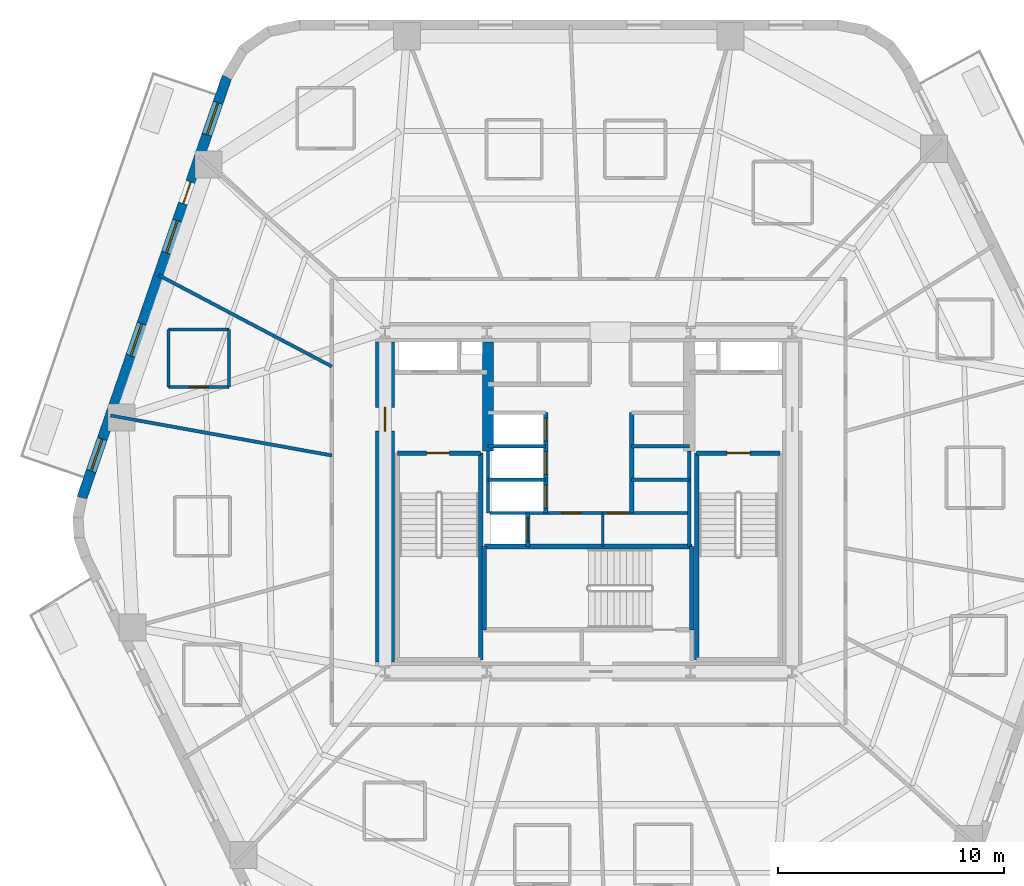
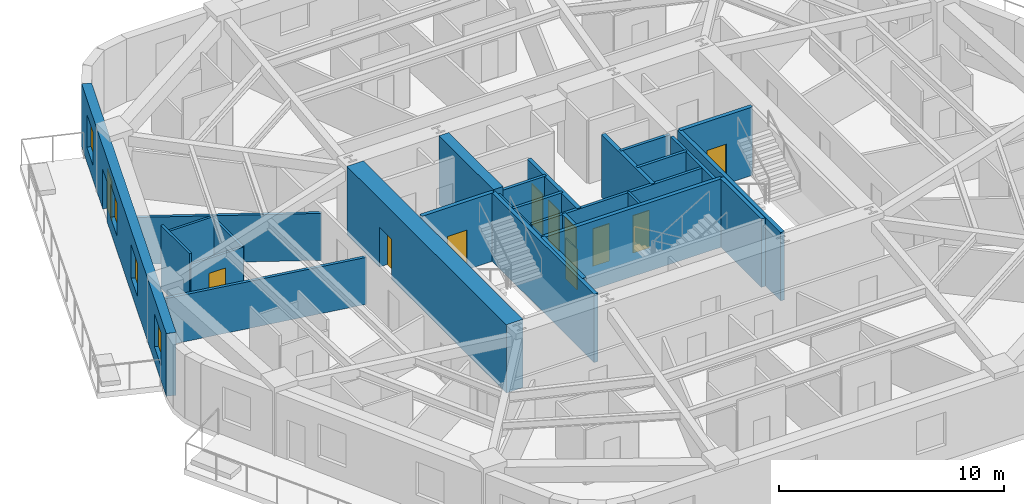
# One storey, part 4 of 10: 27 walls, 11 doors, 4 windows, 15 openings.
"""IFC4 building model written with IfcOpenShell, lengths in metres."""

import ifcopenshell
import ifcopenshell.guid

model = None  # the IFC model being written
_history = None  # IfcOwnerHistory: only IFC2X3 demands one
_inside = {}  # id of a spatial element -> (the spatial element, [elements in it])
_under = {}  # id of a project, library or spatial element -> (it, [spatial elements below it])
_declared = {}  # id of a project -> (the project, [libraries it declares])
_typed = {}  # id of a type object -> (the type object, [elements of that type])
_made_of = {}  # id of a material, layer set ... -> (it, [elements and type objects made of it])


def new_model(schema):
    """Start an empty IFC model of exactly this schema.

    Asked for "IFC4X3", IfcOpenShell would pick the latest addendum, in which some entities
    have other attributes; the version numbers below select the first issue.
    IFC2X3 requires an IfcOwnerHistory on every rooted entity: one is made here for all.
    """
    global model, _history
    if schema == "IFC4X3":
        model = ifcopenshell.file(schema_version=(4, 3, 0, 0))
    else:
        model = ifcopenshell.file(schema=schema)
    _inside.clear()
    _under.clear()
    _declared.clear()
    _typed.clear()
    _made_of.clear()
    _history = None
    if model.schema == "IFC2X3":
        org = make("IfcOrganization", Name="unknown")
        user = make(
            "IfcPersonAndOrganization",
            ThePerson=make("IfcPerson", FamilyName="unknown"),
            TheOrganization=org,
        )
        app = make(
            "IfcApplication",
            ApplicationDeveloper=org,
            Version="unknown",
            ApplicationFullName="unknown",
            ApplicationIdentifier="unknown",
        )
        _history = make(
            "IfcOwnerHistory",
            OwningUser=user,
            OwningApplication=app,
            ChangeAction="ADDED",
            CreationDate=0,
        )
    return model


def make(cls, **values):
    """One entity of the class cls with the attributes given. An attribute that is None is left unset."""
    return model.create_entity(
        cls, **{name: value for name, value in values.items() if value is not None}
    )


def rooted(cls, **values):
    """An entity with a GlobalId (a new one), such as an element, a storey or a relation."""
    return make(cls, GlobalId=ifcopenshell.guid.new(), OwnerHistory=_history, **values)


def si_unit(unit_type, name, prefix=None):
    """IfcSIUnit, for example si_unit("LENGTHUNIT", "METRE", prefix="MILLI")."""
    return make("IfcSIUnit", UnitType=unit_type, Prefix=prefix, Name=name)


def assignment(units):
    """IfcUnitAssignment: the units of a project."""
    return None if units is None else make("IfcUnitAssignment", Units=units)


def point(xyz):
    """IfcCartesianPoint."""
    return None if xyz is None else make("IfcCartesianPoint", Coordinates=xyz)


def direction(xyz):
    """IfcDirection."""
    return None if xyz is None else make("IfcDirection", DirectionRatios=xyz)


def frame(location, z_axis=None, x_axis=None):
    """IfcAxis2Placement3D, a coordinate frame: its origin and axes. An axis left out is left unset."""
    return make(
        "IfcAxis2Placement3D",
        Location=point(location),
        Axis=direction(z_axis),
        RefDirection=direction(x_axis),
    )


def frame_2d(location, x_axis=None):
    """IfcAxis2Placement2D, a coordinate frame in the plane: its origin and x axis."""
    return make(
        "IfcAxis2Placement2D", Location=point(location), RefDirection=direction(x_axis)
    )


def origin():
    """The frame at (0, 0, 0) with its axes left unset."""
    return frame((0.0, 0.0, 0.0))


def place(relative_to, where):
    """IfcLocalPlacement: puts the frame where relative to a parent placement (None: the world)."""
    return make(
        "IfcLocalPlacement", PlacementRelTo=relative_to, RelativePlacement=where
    )


def context(
    kind, dimensions, precision=None, world=None, true_north=None, identifier=None
):
    """IfcGeometricRepresentationContext, for example the 3D "Model" context."""
    return make(
        "IfcGeometricRepresentationContext",
        ContextIdentifier=identifier,
        ContextType=kind,
        CoordinateSpaceDimension=dimensions,
        Precision=precision,
        WorldCoordinateSystem=world,
        TrueNorth=true_north,
    )


def subcontext(parent, identifier, kind, view, scale=None):
    """IfcGeometricRepresentationSubContext, for example "Body" below "Model"."""
    return make(
        "IfcGeometricRepresentationSubContext",
        ContextIdentifier=identifier,
        ContextType=kind,
        ParentContext=parent,
        TargetScale=scale,
        TargetView=view,
    )


def project(units=None, contexts=None):
    """IfcProject with its units and contexts."""
    return rooted(
        "IfcProject",
        Name="project",
        RepresentationContexts=contexts,
        UnitsInContext=assignment(units),
    )


def spatial(cls, under=None, at=None, **own):
    """A site, building, storey or space (cls), placed at a placement, below another one or the project."""
    s = rooted(cls, ObjectPlacement=at, **own)
    if under is not None:
        _under.setdefault(under.id(), (under, []))[1].append(s)
    return s


def profile(cls, at=None, kind="AREA", **sizes):
    """A parametric profile (cls). Its sizes go by their IFC names, for example OverallWidth=200.0."""
    return make(cls, ProfileType=kind, Position=at, **sizes)


def rectangle(**sizes):
    """IfcRectangleProfileDef."""
    return profile("IfcRectangleProfileDef", **sizes)


def extrude(swept, where, along, depth):
    """IfcExtrudedAreaSolid: the profile swept, set in the frame where, extruded along a direction by depth."""
    return make(
        "IfcExtrudedAreaSolid",
        SweptArea=swept,
        Position=where,
        ExtrudedDirection=direction(along),
        Depth=depth,
    )


def shape(context_of_items, identifier, shape_type, items):
    """IfcShapeRepresentation: the items that make up one representation, for example the "Body"."""
    return make(
        "IfcShapeRepresentation",
        ContextOfItems=context_of_items,
        RepresentationIdentifier=identifier,
        RepresentationType=shape_type,
        Items=items,
    )


def material(Name=None, Category=None):
    """IfcMaterial."""
    return make("IfcMaterial", Name=Name, Category=Category)


def layer(
    of_material, thickness, ventilated=None, Name=None, Category=None, Priority=None
):
    """IfcMaterialLayer: one layer of a wall or slab, of a material (None: an air gap)."""
    return make(
        "IfcMaterialLayer",
        Material=of_material,
        LayerThickness=thickness,
        IsVentilated=ventilated,
        Name=Name,
        Category=Category,
        Priority=Priority,
    )


def layer_set(layers, Name=None):
    """IfcMaterialLayerSet."""
    return make("IfcMaterialLayerSet", MaterialLayers=layers, LayerSetName=Name)


def made_of(thing, what):
    """Note that an element or type object is made of a material, layer set ...; save() writes the relation."""
    if what is not None:
        _made_of.setdefault(what.id(), (what, []))[1].append(thing)
    return thing


def type_object(cls, material=None, **own):
    """A type object (cls), such as IfcWallType, which elements share."""
    return made_of(rooted(cls, **own), material)


def element(
    cls,
    number,
    at=None,
    inside=None,
    cuts=None,
    type_object=None,
    material=None,
    context=None,
    identifier="Body",
    shape_type=None,
    held_by="IfcProductDefinitionShape",
    body=None,
    shapes=None,
    **own,
):
    """One element of the class cls, such as IfcWall. Its Tag is "e" and its number.

    at: its placement. inside: the storey or other place that contains it. cuts: it is an
    opening in that element (IfcRelVoidsElement). A single representation is given by context,
    identifier, shape_type and body (its items); several are given by shapes. held_by: the class
    of the entity that holds the representations. save() writes the other relations.
    """
    e = rooted(cls, Tag="e%d" % number, ObjectPlacement=at, **own)
    if body is not None:
        shapes = [shape(context, identifier, shape_type, body)]
    if shapes is not None:
        e.Representation = make(held_by, Representations=shapes)
    if inside is not None:
        _inside.setdefault(inside.id(), (inside, []))[1].append(e)
    if cuts is not None:
        rooted(
            "IfcRelVoidsElement", RelatingBuildingElement=cuts, RelatedOpeningElement=e
        )
    if type_object is not None:
        _typed.setdefault(type_object.id(), (type_object, []))[1].append(e)
    return made_of(e, material)


def fill(opening, filler):
    """IfcRelFillsElement: the door or window that sits in an opening."""
    return rooted(
        "IfcRelFillsElement",
        RelatingOpeningElement=opening,
        RelatedBuildingElement=filler,
    )


def aggregate(whole, parts):
    """IfcRelAggregates: a whole, such as a stair, and the parts it consists of."""
    return rooted("IfcRelAggregates", RelatingObject=whole, RelatedObjects=parts)


def save(model, path):
    """Write the relations noted so far, then the file.

    IfcRelAggregates (storeys below a building ...), IfcRelContainedInSpatialStructure (elements
    in a storey), IfcRelDefinesByType, IfcRelAssociatesMaterial and IfcRelDeclares: one each for
    every whole, place, type object, material and project.
    """
    for whole, parts in _under.values():
        aggregate(whole, parts)
    for where, things in _inside.values():
        rooted(
            "IfcRelContainedInSpatialStructure",
            RelatedElements=things,
            RelatingStructure=where,
        )
    for kind, things in _typed.values():
        rooted("IfcRelDefinesByType", RelatedObjects=things, RelatingType=kind)
    for what, things in _made_of.values():
        rooted("IfcRelAssociatesMaterial", RelatedObjects=things, RelatingMaterial=what)
    for by, libraries in _declared.values():
        rooted("IfcRelDeclares", RelatingContext=by, RelatedDefinitions=libraries)
    model.write(path)


model = new_model("IFC4")

# Units and contexts
model_context = context("Model", 3, precision=1e-05, world=origin(), true_north=direction((0.0, 1.0)))
body_context = subcontext(model_context, "Body", "Model", "MODEL_VIEW")
ifc_project = project(units=[si_unit("LENGTHUNIT", "METRE"), si_unit("AREAUNIT", "SQUARE_METRE"), si_unit("VOLUMEUNIT", "CUBIC_METRE"), si_unit("PLANEANGLEUNIT", "RADIAN"), si_unit("MASSUNIT", "GRAM", prefix="KILO")], contexts=[model_context])

# Site, building, storey
site_placement = place(None, origin())
site = spatial("IfcSite", under=ifc_project, at=site_placement, CompositionType="ELEMENT")
building_placement = place(site_placement, origin())
building = spatial("IfcBuilding", under=site, at=building_placement, Name="Kilnhurst Terrace Hotel", CompositionType="ELEMENT")
storey_placement = place(building_placement, frame((0.0, 0.0, 121.0)))
storey = spatial("IfcBuildingStorey", under=building, at=storey_placement, Name="L29", CompositionType="ELEMENT", Elevation=121.0)

# Wall, openings, door, windows
ifc_material_1 = material(Name="Precast concrete C40/50", Category="concrete")
ifc_layer_1 = layer(ifc_material_1, 0.449951171875, Name="Precast concrete C40/50")
ifc_layer_set_1 = layer_set([ifc_layer_1], Name="Precast concrete C40/50")
wall_type_1 = type_object("IfcWallType", Name="WL-BRK-450", PredefinedType="SOLIDWALL", material=ifc_layer_set_1)
wall_1_placement = place(storey_placement, frame((-15.992431640625, 18.77685546875, 0.0), z_axis=(0.0, 0.0, 1.0), x_axis=(-0.325606988926, -0.945505202927, 0.0)))
wall_1 = element("IfcWall", 1, at=wall_1_placement, inside=storey, type_object=wall_type_1, Name="L29 Exterior Brick Facade Wall F5", PredefinedType="SOLIDWALL", context=body_context, shape_type="SweptSolid", body=[
    extrude(rectangle(XDim=19.66943359375, YDim=0.449951171875, at=frame_2d((9.834716796875, 0.0))), origin(), (0.0, 0.0, 1.0), 3.39990234375),
])
opening_1_placement = place(wall_1_placement, frame((4.908935546875, 0.0, 0.0)))
opening_1 = element("IfcOpeningElement", 2, at=opening_1_placement, cuts=wall_1, Name="Opening BD-1000", PredefinedType="OPENING", context=body_context, shape_type="SweptSolid", body=[
    extrude(rectangle(XDim=1.0, YDim=2.14990234375, at=frame_2d((0.5, 1.074951171875))), frame((0.0, 0.23486328125, 0.0), z_axis=(0.0, -1.0, 0.0), x_axis=(1.0, 0.0, 0.0)), (0.0, 0.0, 1.0), 0.469970703125),
])
opening_2_placement = place(wall_1_placement, frame((1.197021484375, 0.0, 0.800048828125)))
opening_2 = element("IfcOpeningElement", 3, at=opening_2_placement, cuts=wall_1, Name="Opening W-02", PredefinedType="OPENING", context=body_context, shape_type="SweptSolid", body=[
    extrude(rectangle(XDim=1.5, YDim=1.800048828125, at=frame_2d((0.75, 0.89990234375))), frame((0.0, 0.23486328125, 0.0), z_axis=(0.0, -1.0, 0.0), x_axis=(1.0, 0.0, 0.0)), (0.0, 0.0, 1.0), 0.469970703125),
])
opening_3_placement = place(wall_1_placement, frame((6.714111328125, 0.0, 0.800048828125)))
opening_3 = element("IfcOpeningElement", 4, at=opening_3_placement, cuts=wall_1, Name="Opening W-02", PredefinedType="OPENING", context=body_context, shape_type="SweptSolid", body=[
    extrude(rectangle(XDim=1.5, YDim=1.800048828125, at=frame_2d((0.75, 0.89990234375))), frame((0.0, 0.23486328125, 0.0), z_axis=(0.0, -1.0, 0.0), x_axis=(1.0, 0.0, 0.0)), (0.0, 0.0, 1.0), 0.469970703125),
])
opening_4_placement = place(wall_1_placement, frame((11.530029296875, 0.0, 0.800048828125)))
opening_4 = element("IfcOpeningElement", 5, at=opening_4_placement, cuts=wall_1, Name="Opening W-02", PredefinedType="OPENING", context=body_context, shape_type="SweptSolid", body=[
    extrude(rectangle(XDim=1.5, YDim=1.800048828125, at=frame_2d((0.75, 0.89990234375))), frame((0.0, 0.23486328125, 0.0), z_axis=(0.0, -1.0, 0.0), x_axis=(1.0, 0.0, 0.0)), (0.0, 0.0, 1.0), 0.469970703125),
])
opening_5_placement = place(wall_1_placement, frame((16.91796875, 0.0, 0.800048828125)))
opening_5 = element("IfcOpeningElement", 6, at=opening_5_placement, cuts=wall_1, Name="Opening W-02", PredefinedType="OPENING", context=body_context, shape_type="SweptSolid", body=[
    extrude(rectangle(XDim=1.5, YDim=1.800048828125, at=frame_2d((0.75, 0.89990234375))), frame((0.0, 0.23486328125, 0.0), z_axis=(0.0, -1.0, 0.0), x_axis=(1.0, 0.0, 0.0)), (0.0, 0.0, 1.0), 0.469970703125),
])
ifc_material_2 = material(Name="Thermally Broken Bronze Aluminium Alloy 6063-T6 and Laminated Glass", Category="aluminium")
door_type_1 = type_object("IfcDoorType", Name="DR-EXT-BAL-1000", OperationType="NOTDEFINED", PredefinedType="DOOR", material=ifc_material_2)
door_1_placement = place(opening_1_placement, origin())
door_1 = element("IfcDoor", 7, at=door_1_placement, inside=storey, type_object=door_type_1, Name="L29 Planted Balcony Door BAL-L2A", OperationType="SINGLE_SWING_LEFT", OverallHeight=2.14990234375, OverallWidth=1.0, PredefinedType="DOOR", context=body_context, shape_type="SweptSolid", body=[
    extrude(rectangle(XDim=1.0, YDim=2.14990234375, at=frame_2d((0.5, 1.074951171875))), frame((0.0, 0.02490234375, 0.0), z_axis=(0.0, -1.0, 0.0), x_axis=(1.0, 0.0, 0.0)), (0.0, 0.0, 1.0), 0.050048828125),
])
fill(opening_1, door_1)
ifc_material_3 = material(Name="Thermally Broken Bronze Aluminium Alloy 6063-T6 and Low-E Glass", Category="aluminium")
window_type = type_object("IfcWindowType", Name="WIN-1500X1800", PartitioningType="SINGLE_PANEL", PredefinedType="WINDOW", material=ifc_material_3)
window_1_placement = place(opening_2_placement, origin())
window_1 = element("IfcWindow", 8, at=window_1_placement, inside=storey, type_object=window_type, Name="L29 Deep-Set Masonry Window F5.1", OverallHeight=1.800048828125, OverallWidth=1.5, PartitioningType="SINGLE_PANEL", PredefinedType="WINDOW", context=body_context, shape_type="SweptSolid", body=[
    extrude(rectangle(XDim=1.5, YDim=1.800048828125, at=frame_2d((0.75, 0.89990234375))), frame((0.0, 0.030029296875, 0.0), z_axis=(0.0, -1.0, 0.0), x_axis=(1.0, 0.0, 0.0)), (0.0, 0.0, 1.0), 0.06005859375),
])
fill(opening_2, window_1)
window_2_placement = place(opening_3_placement, origin())
window_2 = element("IfcWindow", 9, at=window_2_placement, inside=storey, type_object=window_type, Name="L29 Deep-Set Masonry Window F5.2", OverallHeight=1.800048828125, OverallWidth=1.5, PartitioningType="SINGLE_PANEL", PredefinedType="WINDOW", context=body_context, shape_type="SweptSolid", body=[
    extrude(rectangle(XDim=1.5, YDim=1.800048828125, at=frame_2d((0.75, 0.89990234375))), frame((0.0, 0.030029296875, 0.0), z_axis=(0.0, -1.0, 0.0), x_axis=(1.0, 0.0, 0.0)), (0.0, 0.0, 1.0), 0.06005859375),
])
fill(opening_3, window_2)
window_3_placement = place(opening_4_placement, origin())
window_3 = element("IfcWindow", 10, at=window_3_placement, inside=storey, type_object=window_type, Name="L29 Deep-Set Masonry Window F5.3", OverallHeight=1.800048828125, OverallWidth=1.5, PartitioningType="SINGLE_PANEL", PredefinedType="WINDOW", context=body_context, shape_type="SweptSolid", body=[
    extrude(rectangle(XDim=1.5, YDim=1.800048828125, at=frame_2d((0.75, 0.89990234375))), frame((0.0, 0.030029296875, 0.0), z_axis=(0.0, -1.0, 0.0), x_axis=(1.0, 0.0, 0.0)), (0.0, 0.0, 1.0), 0.06005859375),
])
fill(opening_4, window_3)
window_4_placement = place(opening_5_placement, origin())
window_4 = element("IfcWindow", 11, at=window_4_placement, inside=storey, type_object=window_type, Name="L29 Deep-Set Masonry Window F5.4", OverallHeight=1.800048828125, OverallWidth=1.5, PartitioningType="SINGLE_PANEL", PredefinedType="WINDOW", context=body_context, shape_type="SweptSolid", body=[
    extrude(rectangle(XDim=1.5, YDim=1.800048828125, at=frame_2d((0.75, 0.89990234375))), frame((0.0, 0.030029296875, 0.0), z_axis=(0.0, -1.0, 0.0), x_axis=(1.0, 0.0, 0.0)), (0.0, 0.0, 1.0), 0.06005859375),
])
fill(opening_5, window_4)

# Wall, opening, door
ifc_material_4 = material(Name="Concrete C80/95", Category="concrete")
ifc_layer_2 = layer(ifc_material_4, 0.85009765625, Name="Concrete C80/95")
ifc_layer_set_2 = layer_set([ifc_layer_2], Name="Concrete C80/95")
wall_type_2 = type_object("IfcWallType", Name="WL-CORE-850", PredefinedType="SHEAR", material=ifc_layer_set_2)
wall_2_placement = place(storey_placement, frame((-9.0, -7.074951171875, 0.0), z_axis=(0.0, 0.0, 1.0), x_axis=(0.0, 1.0, 0.0)))
wall_2 = element("IfcWall", 12, at=wall_2_placement, inside=storey, type_object=wall_type_2, Name="L29 Core West Shear Wall", PredefinedType="SHEAR", context=body_context, shape_type="SweptSolid", body=[
    extrude(rectangle(XDim=14.14990234375, YDim=0.85009765625, at=frame_2d((7.074951171875, 0.0))), origin(), (0.0, 0.0, 1.0), 3.699951171875),
])
opening_6_placement = place(wall_2_placement, frame((10.199951171875, 0.0, 0.0)))
opening_6 = element("IfcOpeningElement", 13, at=opening_6_placement, cuts=wall_2, Name="Opening D-90A", PredefinedType="OPENING", context=body_context, shape_type="SweptSolid", body=[
    extrude(rectangle(XDim=1.050048828125, YDim=2.14990234375, at=frame_2d((0.52490234375, 1.074951171875))), frame((0.0, 0.43505859375, 0.0), z_axis=(0.0, -1.0, 0.0), x_axis=(1.0, 0.0, 0.0)), (0.0, 0.0, 1.0), 0.8701171875),
])
ifc_material_5 = material(Name="Painted Hollow Metal Steel ASTM A36 Fire Door", Category="steel")
door_type_2 = type_object("IfcDoorType", Name="DR-FD90-1050", OperationType="NOTDEFINED", PredefinedType="DOOR", material=ifc_material_5)
door_2_placement = place(opening_6_placement, origin())
door_2 = element("IfcDoor", 14, at=door_2_placement, inside=storey, type_object=door_type_2, Name="L29 West Firefighting Lobby Door", OperationType="SINGLE_SWING_RIGHT", OverallHeight=2.14990234375, OverallWidth=1.050048828125, PredefinedType="DOOR", context=body_context, shape_type="SweptSolid", body=[
    extrude(rectangle(XDim=1.050048828125, YDim=2.14990234375, at=frame_2d((0.52490234375, 1.074951171875))), frame((0.0, 0.02490234375, 0.0), z_axis=(0.0, -1.0, 0.0), x_axis=(1.0, 0.0, 0.0)), (0.0, 0.0, 1.0), 0.050048828125),
])
fill(opening_6, door_2)

# Walls
ifc_material_6 = material(Name="Concrete C60/75", Category="concrete")
ifc_layer_3 = layer(ifc_material_6, 0.5, Name="Concrete C60/75")
ifc_layer_set_3 = layer_set([ifc_layer_3], Name="Concrete C60/75")
wall_type_3 = type_object("IfcWallType", Name="WL-CORE-WEB-500", PredefinedType="SHEAR", material=ifc_layer_set_3)
wall_3_placement = place(storey_placement, frame((-4.449951171875, 2.25, 0.0), z_axis=(0.0, 0.0, 1.0), x_axis=(0.0, 1.0, 0.0)))
element("IfcWall", 15, at=wall_3_placement, inside=storey, type_object=wall_type_3, Name="L29 Core Internal West Shear Web", PredefinedType="SHEAR", context=body_context, shape_type="SweptSolid", body=[
    extrude(rectangle(XDim=4.824951171875, YDim=0.5, at=frame_2d((2.41259765625, 0.0))), origin(), (0.0, 0.0, 1.0), 3.699951171875),
])
ifc_material_7 = material(Name="STC-58 Acoustic Twin-Frame Guestroom Demising Partition")
ifc_layer_4 = layer(ifc_material_7, 0.14990234375, Name="STC-58 Acoustic Twin-Frame Guestroom Demising Partition")
ifc_layer_set_4 = layer_set([ifc_layer_4], Name="STC-58 Acoustic Twin-Frame Guestroom Demising Partition")
wall_type_4 = type_object("IfcWallType", Name="WL-DEM-150", PredefinedType="PARTITIONING", material=ifc_layer_set_4)
wall_4_placement = place(storey_placement, frame((-11.35009765625, 5.9833984375, 0.0), z_axis=(0.0, 0.0, 1.0), x_axis=(-0.884597447182, 0.466355397137, 0.0)))
element("IfcWall", 16, at=wall_4_placement, inside=storey, type_object=wall_type_4, Name="L29 Interior Wall WL-L29-DEM-MID05-08-1", PredefinedType="PARTITIONING", context=body_context, shape_type="SweptSolid", body=[
    extrude(rectangle(XDim=8.65673828125, YDim=0.14990234375, at=frame_2d((4.328369140625, 0.0))), origin(), (0.0, 0.0, 1.0), 2.5400390625),
])
wall_5_placement = place(storey_placement, frame((-11.35009765625, 2.05078125, 0.0), z_axis=(0.0, 0.0, 1.0), x_axis=(-0.984068313063, 0.177790762484, 0.0)))
element("IfcWall", 17, at=wall_5_placement, inside=storey, type_object=wall_type_4, Name="L29 Interior Wall WL-L29-DEM-COL06-09-1", PredefinedType="PARTITIONING", context=body_context, shape_type="SweptSolid", body=[
    extrude(rectangle(XDim=9.951416015625, YDim=0.14990234375, at=frame_2d((4.9755859375, 0.0))), origin(), (0.0, 0.0, 1.0), 2.5400390625),
])
ifc_material_8 = material(Name="120 mm Moisture-Resistant Tile-Backed Bathroom Partition")
ifc_layer_5 = layer(ifc_material_8, 0.1201171875, Name="120 mm Moisture-Resistant Tile-Backed Bathroom Partition")
ifc_layer_set_5 = layer_set([ifc_layer_5], Name="120 mm Moisture-Resistant Tile-Backed Bathroom Partition")
wall_type_5 = type_object("IfcWallType", Name="WL-PART-120", PredefinedType="PARTITIONING", material=ifc_layer_set_5)
wall_6_placement = place(storey_placement, frame((0.6201171875, -1.971923828125, 0.0), z_axis=(0.0, 0.0, 1.0), x_axis=(0.0, 1.0, 0.0)))
element("IfcWall", 18, at=wall_6_placement, inside=storey, type_object=wall_type_5, Name="L29 Interior Wall WL-L29-BOH-C1", PredefinedType="PARTITIONING", context=body_context, shape_type="SweptSolid", body=[
    extrude(rectangle(XDim=1.471923828125, YDim=0.1201171875, at=frame_2d((0.73583984375, 0.0))), origin(), (0.0, 0.0, 1.0), 3.39990234375),
])

# Wall, opening, door
wall_7_placement = place(storey_placement, frame((-18.574951171875, 5.0810546875, 0.0), z_axis=(0.0, 0.0, 1.0), x_axis=(1.0, 0.0, 0.0)))
wall_7 = element("IfcWall", 19, at=wall_7_placement, inside=storey, type_object=wall_type_5, Name="L29 Interior Wall WL-L29-BTH-08-1", PredefinedType="PARTITIONING", context=body_context, shape_type="SweptSolid", body=[
    extrude(rectangle(XDim=2.679931640625, YDim=0.1201171875, at=frame_2d((1.33984375, 0.0))), origin(), (0.0, 0.0, 1.0), 2.840087890625),
])
opening_7_placement = place(wall_7_placement, frame((0.9150390625, 0.0, 0.0)))
opening_7 = element("IfcOpeningElement", 20, at=opening_7_placement, cuts=wall_7, Name="Opening D-08A", PredefinedType="OPENING", context=body_context, shape_type="SweptSolid", body=[
    extrude(rectangle(XDim=0.85009765625, YDim=2.030029296875, at=frame_2d((0.425048828125, 1.01513671875))), frame((0.0, 0.070068359375, 0.0), z_axis=(0.0, -1.0, 0.0), x_axis=(1.0, 0.0, 0.0)), (0.0, 0.0, 1.0), 0.14013671875),
])
ifc_material_9 = material(Name="Moisture-Resistant Lacquered En-suite Bathroom Door")
door_type_3 = type_object("IfcDoorType", Name="DR-INT-850", OperationType="NOTDEFINED", PredefinedType="DOOR", material=ifc_material_9)
door_3_placement = place(opening_7_placement, origin())
door_3 = element("IfcDoor", 21, at=door_3_placement, inside=storey, type_object=door_type_3, Name="L29 En-suite Bathroom Door 8", OperationType="SINGLE_SWING_LEFT", OverallHeight=2.030029296875, OverallWidth=0.85009765625, PredefinedType="DOOR", context=body_context, shape_type="SweptSolid", body=[
    extrude(rectangle(XDim=0.85009765625, YDim=2.030029296875, at=frame_2d((0.425048828125, 1.01513671875))), frame((0.0, 0.02490234375, 0.0), z_axis=(0.0, -1.0, 0.0), x_axis=(1.0, 0.0, 0.0)), (0.0, 0.0, 1.0), 0.050048828125),
])
fill(opening_7, door_3)

# Walls
wall_8_placement = place(storey_placement, frame((-15.89501953125, 5.0810546875, 0.0), z_axis=(0.0, 0.0, 1.0), x_axis=(0.0, 1.0, 0.0)))
element("IfcWall", 22, at=wall_8_placement, inside=storey, type_object=wall_type_5, Name="L29 Interior Wall WL-L29-BTH-08-2", PredefinedType="PARTITIONING", context=body_context, shape_type="SweptSolid", body=[
    extrude(rectangle(XDim=2.5400390625, YDim=0.1201171875, at=frame_2d((1.27001953125, 0.0))), origin(), (0.0, 0.0, 1.0), 2.840087890625),
])
wall_9_placement = place(storey_placement, frame((-15.89501953125, 7.62109375, 0.0), z_axis=(0.0, 0.0, 1.0), x_axis=(-1.0, 0.0, 0.0)))
element("IfcWall", 23, at=wall_9_placement, inside=storey, type_object=wall_type_5, Name="L29 Interior Wall WL-L29-BTH-08-3", PredefinedType="PARTITIONING", context=body_context, shape_type="SweptSolid", body=[
    extrude(rectangle(XDim=2.679931640625, YDim=0.1201171875, at=frame_2d((1.33984375, 0.0))), origin(), (0.0, 0.0, 1.0), 2.972412109375),
])
wall_10_placement = place(storey_placement, frame((-18.574951171875, 7.62109375, 0.0), z_axis=(0.0, 0.0, 1.0), x_axis=(0.0, -1.0, 0.0)))
element("IfcWall", 24, at=wall_10_placement, inside=storey, type_object=wall_type_5, Name="L29 Interior Wall WL-L29-BTH-08-4", PredefinedType="PARTITIONING", context=body_context, shape_type="SweptSolid", body=[
    extrude(rectangle(XDim=2.5400390625, YDim=0.1201171875, at=frame_2d((1.27001953125, 0.0))), origin(), (0.0, 0.0, 1.0), 3.39990234375),
])
ifc_material_10 = material(Name="Fire-Rated Gypsum Shaftliner Assembly")
ifc_layer_6 = layer(ifc_material_10, 0.14990234375, Name="Fire-Rated Gypsum Shaftliner Assembly")
ifc_layer_set_6 = layer_set([ifc_layer_6], Name="Fire-Rated Gypsum Shaftliner Assembly")
wall_type_6 = type_object("IfcWallType", Name="WL-SHAFT-150", PredefinedType="PARTITIONING", material=ifc_layer_set_6)
wall_11_placement = place(storey_placement, frame((-4.449951171875, -0.5, 0.0), z_axis=(0.0, 0.0, 1.0), x_axis=(0.0, 1.0, 0.0)))
element("IfcWall", 25, at=wall_11_placement, inside=storey, type_object=wall_type_6, Name="L29 Interior Wall WL-L29-XLOB-W", PredefinedType="PARTITIONING", context=body_context, shape_type="SweptSolid", body=[
    extrude(rectangle(XDim=2.75, YDim=0.14990234375, at=frame_2d((1.375, 0.0))), origin(), (0.0, 0.0, 1.0), 3.39990234375),
])
wall_12_placement = place(storey_placement, frame((4.449951171875, -1.971923828125, 0.0), z_axis=(0.0, 0.0, 1.0), x_axis=(0.0, 1.0, 0.0)))
element("IfcWall", 26, at=wall_12_placement, inside=storey, type_object=wall_type_6, Name="L29 Interior Wall WL-L29-XLOB-E", PredefinedType="PARTITIONING", context=body_context, shape_type="SweptSolid", body=[
    extrude(rectangle(XDim=4.221923828125, YDim=0.14990234375, at=frame_2d((2.11083984375, 0.0))), origin(), (0.0, 0.0, 1.0), 3.39990234375),
])
for number, where, z_axis, x_axis, name in (
    (27, (-4.449951171875, 0.97998046875, 0.0), (0.0, 0.0, 1.0), (1.0, 0.0, 0.0), "L29 Interior Wall WL-L29-LR-D1"),
    (28, (-4.449951171875, 2.4599609375, 0.0), (0.0, 0.0, 1.0), (1.0, 0.0, 0.0), "L29 Interior Wall WL-L29-LR-D2"),
    (29, (1.89990234375, 0.97998046875, 0.0), (0.0, 0.0, 1.0), (1.0, 0.0, 0.0), "L29 Interior Wall WL-L29-MR-D1"),
    (30, (1.89990234375, 2.4599609375, 0.0), (0.0, 0.0, 1.0), (1.0, 0.0, 0.0), "L29 Interior Wall WL-L29-MR-D2"),
):
    element("IfcWall", number, at=place(storey_placement, frame(where, z_axis=z_axis, x_axis=x_axis)), inside=storey, type_object=wall_type_6, Name=name, PredefinedType="PARTITIONING", context=body_context, shape_type="SweptSolid", body=[
        extrude(rectangle(XDim=2.550048828125, YDim=0.14990234375, at=frame_2d((1.27490234375, 0.0))), origin(), (0.0, 0.0, 1.0), 3.39990234375),
    ])

# Wall, openings, doors
wall_13_placement = place(storey_placement, frame((-4.360107421875, -0.489990234375, 0.0), z_axis=(0.0, 0.0, 1.0), x_axis=(1.0, 0.0, 0.0)))
wall_13 = element("IfcWall", 31, at=wall_13_placement, inside=storey, type_object=wall_type_6, Name="L29 Interior Wall WL-L29-BOH-N", PredefinedType="PARTITIONING", context=body_context, shape_type="SweptSolid", body=[
    extrude(rectangle(XDim=8.72021484375, YDim=0.14990234375, at=frame_2d((4.360107421875, 0.0))), origin(), (0.0, 0.0, 1.0), 3.39990234375),
])
opening_8_placement = place(wall_13_placement, frame((3.159912109375, 0.0, 0.0)))
opening_8 = element("IfcOpeningElement", 32, at=opening_8_placement, cuts=wall_13, Name="Opening D-60D", PredefinedType="OPENING", context=body_context, shape_type="SweptSolid", body=[
    extrude(rectangle(XDim=0.85009765625, YDim=2.030029296875, at=frame_2d((0.425048828125, 1.01513671875))), frame((0.0, 0.0849609375, 0.0), z_axis=(0.0, -1.0, 0.0), x_axis=(1.0, 0.0, 0.0)), (0.0, 0.0, 1.0), 0.169921875),
])
opening_9_placement = place(wall_13_placement, frame((5.2099609375, 0.0, 0.0)))
opening_9 = element("IfcOpeningElement", 33, at=opening_9_placement, cuts=wall_13, Name="Opening D-60D", PredefinedType="OPENING", context=body_context, shape_type="SweptSolid", body=[
    extrude(rectangle(XDim=0.85009765625, YDim=2.030029296875, at=frame_2d((0.425048828125, 1.01513671875))), frame((0.0, 0.0849609375, 0.0), z_axis=(0.0, -1.0, 0.0), x_axis=(1.0, 0.0, 0.0)), (0.0, 0.0, 1.0), 0.169921875),
])
ifc_material_11 = material(Name="Painted Hollow Metal Steel ASTM A36 Riser Door", Category="steel")
door_type_4 = type_object("IfcDoorType", Name="DR-FD60-850", OperationType="NOTDEFINED", PredefinedType="DOOR", material=ifc_material_11)
door_4_placement = place(opening_8_placement, origin())
door_4 = element("IfcDoor", 34, at=door_4_placement, inside=storey, type_object=door_type_4, Name="L29 Housekeeping Laundry Door", OperationType="SINGLE_SWING_LEFT", OverallHeight=2.030029296875, OverallWidth=0.85009765625, PredefinedType="DOOR", context=body_context, shape_type="SweptSolid", body=[
    extrude(rectangle(XDim=0.85009765625, YDim=2.030029296875, at=frame_2d((0.425048828125, 1.01513671875))), frame((0.0, 0.02490234375, 0.0), z_axis=(0.0, -1.0, 0.0), x_axis=(1.0, 0.0, 0.0)), (0.0, 0.0, 1.0), 0.050048828125),
])
fill(opening_8, door_4)
door_5_placement = place(opening_9_placement, origin())
door_5 = element("IfcDoor", 35, at=door_5_placement, inside=storey, type_object=door_type_4, Name="L29 Room Service Kitchen Door", OperationType="SINGLE_SWING_RIGHT", OverallHeight=2.030029296875, OverallWidth=0.85009765625, PredefinedType="DOOR", context=body_context, shape_type="SweptSolid", body=[
    extrude(rectangle(XDim=0.85009765625, YDim=2.030029296875, at=frame_2d((0.425048828125, 1.01513671875))), frame((0.0, 0.02490234375, 0.0), z_axis=(0.0, -1.0, 0.0), x_axis=(1.0, 0.0, 0.0)), (0.0, 0.0, 1.0), 0.050048828125),
])
fill(opening_9, door_5)

# Wall, opening, door
ifc_material_12 = material(Name="Autoclaved Aerated Concrete C30/37 and Gypsum Shaft Assembly", Category="concrete")
ifc_layer_7 = layer(ifc_material_12, 0.199951171875, Name="Autoclaved Aerated Concrete C30/37 and Gypsum Shaft Assembly")
ifc_layer_set_7 = layer_set([ifc_layer_7], Name="Autoclaved Aerated Concrete C30/37 and Gypsum Shaft Assembly")
wall_type_7 = type_object("IfcWallType", Name="WL-SHAFT-200", PredefinedType="PARTITIONING", material=ifc_layer_set_7)
wall_14_placement = place(storey_placement, frame((-2.699951171875, -1.971923828125, 0.0), z_axis=(0.0, 0.0, 1.0), x_axis=(0.0, 1.0, 0.0)))
wall_14 = element("IfcWall", 36, at=wall_14_placement, inside=storey, type_object=wall_type_7, Name="L29 Interior Wall WL-L29-SRV1-E", PredefinedType="PARTITIONING", context=body_context, shape_type="SweptSolid", body=[
    extrude(rectangle(XDim=1.471923828125, YDim=0.199951171875, at=frame_2d((0.73583984375, 0.0))), origin(), (0.0, 0.0, 1.0), 3.39990234375),
])
opening_10_placement = place(wall_14_placement, frame((0.239990234375, 0.0, 0.0)))
opening_10 = element("IfcOpeningElement", 37, at=opening_10_placement, cuts=wall_14, Name="Opening LD-SV", PredefinedType="OPENING", context=body_context, shape_type="SweptSolid", body=[
    extrude(rectangle(XDim=1.0, YDim=2.199951171875, at=frame_2d((0.5, 1.10009765625))), frame((0.0, 0.10986328125, 0.0), z_axis=(0.0, -1.0, 0.0), x_axis=(1.0, 0.0, 0.0)), (0.0, 0.0, 1.0), 0.219970703125),
])
ifc_material_13 = material(Name="Bronze-Anodized Stainless Steel AISI 316L Sliding Door", Category="steel")
door_type_5 = type_object("IfcDoorType", Name="DR-LIFT-1000", OperationType="NOTDEFINED", PredefinedType="DOOR", material=ifc_material_13)
door_6_placement = place(opening_10_placement, origin())
door_6 = element("IfcDoor", 38, at=door_6_placement, inside=storey, type_object=door_type_5, Name="L29 Service Lift SRV-1 Landing Door", OperationType="SLIDING_TO_LEFT", OverallHeight=2.199951171875, OverallWidth=1.0, PredefinedType="DOOR", context=body_context, shape_type="SweptSolid", body=[
    extrude(rectangle(XDim=1.0, YDim=2.199951171875, at=frame_2d((0.5, 1.10009765625))), frame((0.0, 0.02490234375, 0.0), z_axis=(0.0, -1.0, 0.0), x_axis=(1.0, 0.0, 0.0)), (0.0, 0.0, 1.0), 0.050048828125),
])
fill(opening_10, door_6)

# Wall, openings, doors
wall_15_placement = place(storey_placement, frame((-1.89990234375, -0.5, 0.0), z_axis=(0.0, 0.0, 1.0), x_axis=(0.0, 1.0, 0.0)))
wall_15 = element("IfcWall", 39, at=wall_15_placement, inside=storey, type_object=wall_type_7, Name="L29 Interior Wall WL-L29-LR-FRONT", PredefinedType="PARTITIONING", context=body_context, shape_type="SweptSolid", body=[
    extrude(rectangle(XDim=4.43994140625, YDim=0.199951171875, at=frame_2d((2.219970703125, 0.0))), origin(), (0.0, 0.0, 1.0), 3.39990234375),
])
opening_11_placement = place(wall_15_placement, frame((0.239990234375, 0.0, 0.0)))
opening_11 = element("IfcOpeningElement", 40, at=opening_11_placement, cuts=wall_15, Name="Opening LD-LR", PredefinedType="OPENING", context=body_context, shape_type="SweptSolid", body=[
    extrude(rectangle(XDim=1.0, YDim=2.199951171875, at=frame_2d((0.5, 1.10009765625))), frame((0.0, 0.10986328125, 0.0), z_axis=(0.0, -1.0, 0.0), x_axis=(1.0, 0.0, 0.0)), (0.0, 0.0, 1.0), 0.219970703125),
])
opening_12_placement = place(wall_15_placement, frame((1.719970703125, 0.0, 0.0)))
opening_12 = element("IfcOpeningElement", 41, at=opening_12_placement, cuts=wall_15, Name="Opening LD-LR", PredefinedType="OPENING", context=body_context, shape_type="SweptSolid", body=[
    extrude(rectangle(XDim=1.0, YDim=2.199951171875, at=frame_2d((0.5, 1.10009765625))), frame((0.0, 0.10986328125, 0.0), z_axis=(0.0, -1.0, 0.0), x_axis=(1.0, 0.0, 0.0)), (0.0, 0.0, 1.0), 0.219970703125),
])
opening_13_placement = place(wall_15_placement, frame((3.199951171875, 0.0, 0.0)))
opening_13 = element("IfcOpeningElement", 42, at=opening_13_placement, cuts=wall_15, Name="Opening LD-LR", PredefinedType="OPENING", context=body_context, shape_type="SweptSolid", body=[
    extrude(rectangle(XDim=1.0, YDim=2.199951171875, at=frame_2d((0.5, 1.10009765625))), frame((0.0, 0.10986328125, 0.0), z_axis=(0.0, -1.0, 0.0), x_axis=(1.0, 0.0, 0.0)), (0.0, 0.0, 1.0), 0.219970703125),
])
door_7_placement = place(opening_11_placement, origin())
door_7 = element("IfcDoor", 43, at=door_7_placement, inside=storey, type_object=door_type_5, Name="L29 Low Rise Lift LR-1 Landing Door", OperationType="SLIDING_TO_LEFT", OverallHeight=2.199951171875, OverallWidth=1.0, PredefinedType="DOOR", context=body_context, shape_type="SweptSolid", body=[
    extrude(rectangle(XDim=1.0, YDim=2.199951171875, at=frame_2d((0.5, 1.10009765625))), frame((0.0, 0.02490234375, 0.0), z_axis=(0.0, -1.0, 0.0), x_axis=(1.0, 0.0, 0.0)), (0.0, 0.0, 1.0), 0.050048828125),
])
fill(opening_11, door_7)
door_8_placement = place(opening_12_placement, origin())
door_8 = element("IfcDoor", 44, at=door_8_placement, inside=storey, type_object=door_type_5, Name="L29 Low Rise Lift LR-2 Landing Door", OperationType="SLIDING_TO_LEFT", OverallHeight=2.199951171875, OverallWidth=1.0, PredefinedType="DOOR", context=body_context, shape_type="SweptSolid", body=[
    extrude(rectangle(XDim=1.0, YDim=2.199951171875, at=frame_2d((0.5, 1.10009765625))), frame((0.0, 0.02490234375, 0.0), z_axis=(0.0, -1.0, 0.0), x_axis=(1.0, 0.0, 0.0)), (0.0, 0.0, 1.0), 0.050048828125),
])
fill(opening_12, door_8)
door_9_placement = place(opening_13_placement, origin())
door_9 = element("IfcDoor", 45, at=door_9_placement, inside=storey, type_object=door_type_5, Name="L29 Low Rise Lift LR-3 Landing Door", OperationType="SLIDING_TO_LEFT", OverallHeight=2.199951171875, OverallWidth=1.0, PredefinedType="DOOR", context=body_context, shape_type="SweptSolid", body=[
    extrude(rectangle(XDim=1.0, YDim=2.199951171875, at=frame_2d((0.5, 1.10009765625))), frame((0.0, 0.02490234375, 0.0), z_axis=(0.0, -1.0, 0.0), x_axis=(1.0, 0.0, 0.0)), (0.0, 0.0, 1.0), 0.050048828125),
])
fill(opening_13, door_9)

# Walls
wall_16_placement = place(storey_placement, frame((1.89990234375, -0.5, 0.0), z_axis=(0.0, 0.0, 1.0), x_axis=(0.0, 1.0, 0.0)))
element("IfcWall", 46, at=wall_16_placement, inside=storey, type_object=wall_type_7, Name="L29 Interior Wall WL-L29-MR-FRONT", PredefinedType="PARTITIONING", context=body_context, shape_type="SweptSolid", body=[
    extrude(rectangle(XDim=4.43994140625, YDim=0.199951171875, at=frame_2d((2.219970703125, 0.0))), origin(), (0.0, 0.0, 1.0), 3.39990234375),
])
ifc_material_14 = material(Name="Concrete C50/60", Category="concrete")
ifc_layer_8 = layer(ifc_material_14, 0.199951171875, Name="Concrete C50/60")
ifc_layer_set_8 = layer_set([ifc_layer_8], Name="Concrete C50/60")
wall_type_8 = type_object("IfcWallType", Name="WL-STAIR-RC-200", PredefinedType="SHEAR", material=ifc_layer_set_8)
wall_17_placement = place(storey_placement, frame((-4.77197265625, -6.985107421875, 0.0), z_axis=(0.0, 0.0, 1.0), x_axis=(0.0, 1.0, 0.0)))
element("IfcWall", 47, at=wall_17_placement, inside=storey, type_object=wall_type_8, Name="L29 Structural Stair Shaft Wall WL-L29-ST1-E", PredefinedType="SHEAR", context=body_context, shape_type="SweptSolid", body=[
    extrude(rectangle(XDim=9.14306640625, YDim=0.199951171875, at=frame_2d((4.571533203125, 0.0))), origin(), (0.0, 0.0, 1.0), 3.699951171875),
])

# Wall, opening, door
wall_18_placement = place(storey_placement, frame((-8.4580078125, 2.157958984375, 0.0), z_axis=(0.0, 0.0, 1.0), x_axis=(1.0, 0.0, 0.0)))
wall_18 = element("IfcWall", 48, at=wall_18_placement, inside=storey, type_object=wall_type_8, Name="L29 Structural Stair Shaft Wall WL-L29-ST1-N", PredefinedType="SHEAR", context=body_context, shape_type="SweptSolid", body=[
    extrude(rectangle(XDim=3.68603515625, YDim=0.199951171875, at=frame_2d((1.843017578125, 0.0))), origin(), (0.0, 0.0, 1.0), 3.699951171875),
])
opening_14_placement = place(wall_18_placement, frame((1.300048828125, 0.0, 0.0)))
opening_14 = element("IfcOpeningElement", 49, at=opening_14_placement, cuts=wall_18, Name="Opening D-90B", PredefinedType="OPENING", context=body_context, shape_type="SweptSolid", body=[
    extrude(rectangle(XDim=1.0, YDim=2.14990234375, at=frame_2d((0.5, 1.074951171875))), frame((0.0, 0.10986328125, 0.0), z_axis=(0.0, -1.0, 0.0), x_axis=(1.0, 0.0, 0.0)), (0.0, 0.0, 1.0), 0.219970703125),
])
door_type_6 = type_object("IfcDoorType", Name="DR-FD90-1000", OperationType="NOTDEFINED", PredefinedType="DOOR", material=ifc_material_5)
door_10_placement = place(opening_14_placement, origin())
door_10 = element("IfcDoor", 50, at=door_10_placement, inside=storey, type_object=door_type_6, Name="L29 Stair ST-1 Door", OperationType="SINGLE_SWING_LEFT", OverallHeight=2.14990234375, OverallWidth=1.0, PredefinedType="DOOR", context=body_context, shape_type="SweptSolid", body=[
    extrude(rectangle(XDim=1.0, YDim=2.14990234375, at=frame_2d((0.5, 1.074951171875))), frame((0.0, 0.02490234375, 0.0), z_axis=(0.0, -1.0, 0.0), x_axis=(1.0, 0.0, 0.0)), (0.0, 0.0, 1.0), 0.050048828125),
])
fill(opening_14, door_10)

# Wall
wall_19_placement = place(storey_placement, frame((4.77197265625, -6.985107421875, 0.0), z_axis=(0.0, 0.0, 1.0), x_axis=(0.0, 1.0, 0.0)))
element("IfcWall", 51, at=wall_19_placement, inside=storey, type_object=wall_type_8, Name="L29 Structural Stair Shaft Wall WL-L29-ST2-W", PredefinedType="SHEAR", context=body_context, shape_type="SweptSolid", body=[
    extrude(rectangle(XDim=9.14306640625, YDim=0.199951171875, at=frame_2d((4.571533203125, 0.0))), origin(), (0.0, 0.0, 1.0), 3.699951171875),
])

# Wall, opening, door
wall_20_placement = place(storey_placement, frame((4.77197265625, 2.157958984375, 0.0), z_axis=(0.0, 0.0, 1.0), x_axis=(1.0, 0.0, 0.0)))
wall_20 = element("IfcWall", 52, at=wall_20_placement, inside=storey, type_object=wall_type_8, Name="L29 Structural Stair Shaft Wall WL-L29-ST2-N", PredefinedType="SHEAR", context=body_context, shape_type="SweptSolid", body=[
    extrude(rectangle(XDim=3.68603515625, YDim=0.199951171875, at=frame_2d((1.843017578125, 0.0))), origin(), (0.0, 0.0, 1.0), 3.699951171875),
])
opening_15_placement = place(wall_20_placement, frame((1.35009765625, 0.0, 0.0)))
opening_15 = element("IfcOpeningElement", 53, at=opening_15_placement, cuts=wall_20, Name="Opening D-90B", PredefinedType="OPENING", context=body_context, shape_type="SweptSolid", body=[
    extrude(rectangle(XDim=1.0, YDim=2.14990234375, at=frame_2d((0.5, 1.074951171875))), frame((0.0, 0.10986328125, 0.0), z_axis=(0.0, -1.0, 0.0), x_axis=(1.0, 0.0, 0.0)), (0.0, 0.0, 1.0), 0.219970703125),
])
door_11_placement = place(opening_15_placement, origin())
door_11 = element("IfcDoor", 54, at=door_11_placement, inside=storey, type_object=door_type_6, Name="L29 Stair ST-2 Door", OperationType="SINGLE_SWING_RIGHT", OverallHeight=2.14990234375, OverallWidth=1.0, PredefinedType="DOOR", context=body_context, shape_type="SweptSolid", body=[
    extrude(rectangle(XDim=1.0, YDim=2.14990234375, at=frame_2d((0.5, 1.074951171875))), frame((0.0, 0.02490234375, 0.0), z_axis=(0.0, -1.0, 0.0), x_axis=(1.0, 0.0, 0.0)), (0.0, 0.0, 1.0), 0.050048828125),
])
fill(opening_15, door_11)

# Walls
wall_21_placement = place(storey_placement, frame((-4.60791015625, -5.657958984375, 0.0), z_axis=(0.0, 0.0, 1.0), x_axis=(0.0, 1.0, 0.0)))
element("IfcWall", 55, at=wall_21_placement, inside=storey, type_object=wall_type_8, Name="L29 Structural Stair Shaft Wall WL-L29-ST3-W", PredefinedType="SHEAR", context=body_context, shape_type="SweptSolid", body=[
    extrude(rectangle(XDim=3.68603515625, YDim=0.199951171875, at=frame_2d((1.843017578125, 0.0))), origin(), (0.0, 0.0, 1.0), 3.699951171875),
])
wall_22_placement = place(storey_placement, frame((-4.60791015625, -1.971923828125, 0.0), z_axis=(0.0, 0.0, 1.0), x_axis=(1.0, 0.0, 0.0)))
element("IfcWall", 56, at=wall_22_placement, inside=storey, type_object=wall_type_8, Name="L29 Structural Stair Shaft Wall WL-L29-ST3-N", PredefinedType="SHEAR", context=body_context, shape_type="SweptSolid", body=[
    extrude(rectangle(XDim=9.166015625, YDim=0.199951171875, at=frame_2d((4.5830078125, 0.0))), origin(), (0.0, 0.0, 1.0), 3.699951171875),
])
wall_23_placement = place(storey_placement, frame((4.55810546875, -5.657958984375, 0.0), z_axis=(0.0, 0.0, 1.0), x_axis=(0.0, 1.0, 0.0)))
element("IfcWall", 57, at=wall_23_placement, inside=storey, type_object=wall_type_8, Name="L29 Structural Stair Shaft Wall WL-L29-ST3-E", PredefinedType="SHEAR", context=body_context, shape_type="SweptSolid", body=[
    extrude(rectangle(XDim=3.68603515625, YDim=0.199951171875, at=frame_2d((1.843017578125, 0.0))), origin(), (0.0, 0.0, 1.0), 3.699951171875),
])

save(model, "model.ifc")
